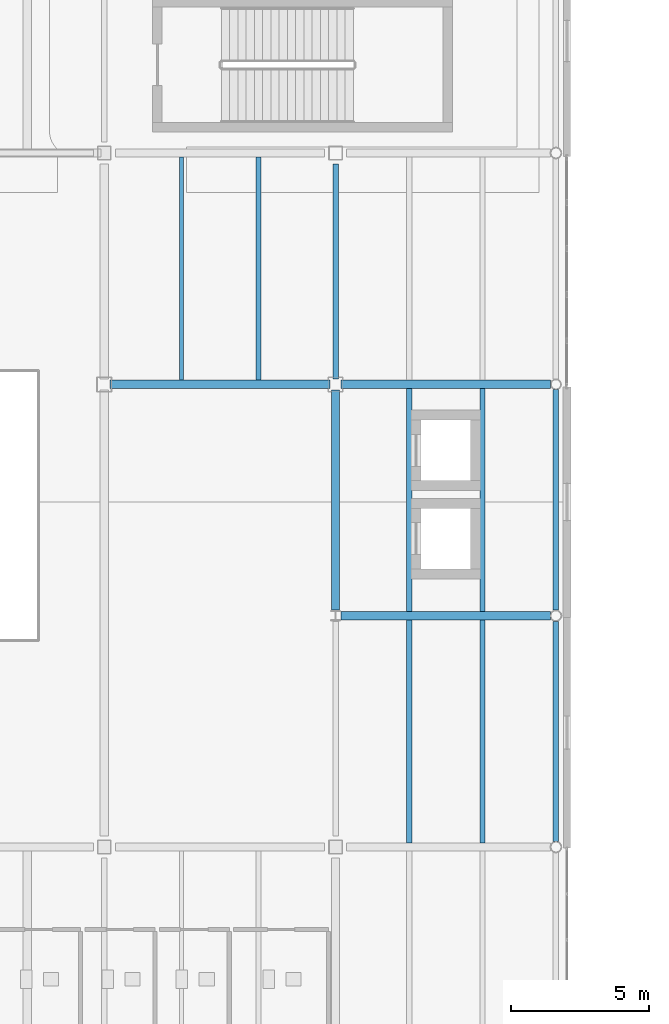
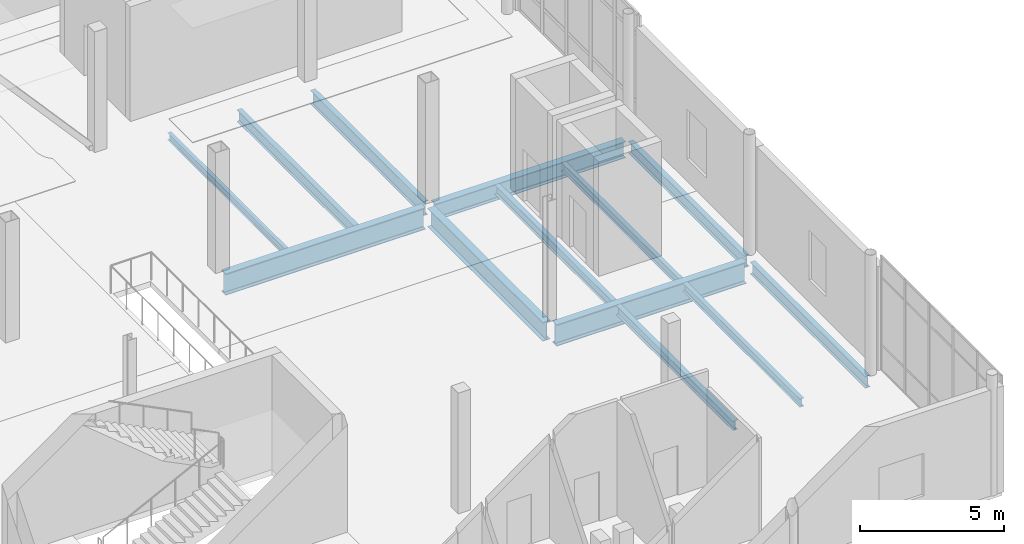
# One storey, part 44 of 104: 13 beams.
"""IFC4 building model written with IfcOpenShell, lengths in metres."""

import ifcopenshell
import ifcopenshell.guid

model = None  # the IFC model being written
_history = None  # IfcOwnerHistory: only IFC2X3 demands one
_inside = {}  # id of a spatial element -> (the spatial element, [elements in it])
_under = {}  # id of a project, library or spatial element -> (it, [spatial elements below it])
_declared = {}  # id of a project -> (the project, [libraries it declares])
_typed = {}  # id of a type object -> (the type object, [elements of that type])
_made_of = {}  # id of a material, layer set ... -> (it, [elements and type objects made of it])


def new_model(schema):
    """Start an empty IFC model of exactly this schema.

    Asked for "IFC4X3", IfcOpenShell would pick the latest addendum, in which some entities
    have other attributes; the version numbers below select the first issue.
    IFC2X3 requires an IfcOwnerHistory on every rooted entity: one is made here for all.
    """
    global model, _history
    if schema == "IFC4X3":
        model = ifcopenshell.file(schema_version=(4, 3, 0, 0))
    else:
        model = ifcopenshell.file(schema=schema)
    _inside.clear()
    _under.clear()
    _declared.clear()
    _typed.clear()
    _made_of.clear()
    _history = None
    if model.schema == "IFC2X3":
        org = make("IfcOrganization", Name="unknown")
        user = make(
            "IfcPersonAndOrganization",
            ThePerson=make("IfcPerson", FamilyName="unknown"),
            TheOrganization=org,
        )
        app = make(
            "IfcApplication",
            ApplicationDeveloper=org,
            Version="unknown",
            ApplicationFullName="unknown",
            ApplicationIdentifier="unknown",
        )
        _history = make(
            "IfcOwnerHistory",
            OwningUser=user,
            OwningApplication=app,
            ChangeAction="ADDED",
            CreationDate=0,
        )
    return model


def make(cls, **values):
    """One entity of the class cls with the attributes given. An attribute that is None is left unset."""
    return model.create_entity(
        cls, **{name: value for name, value in values.items() if value is not None}
    )


def rooted(cls, **values):
    """An entity with a GlobalId (a new one), such as an element, a storey or a relation."""
    return make(cls, GlobalId=ifcopenshell.guid.new(), OwnerHistory=_history, **values)


def si_unit(unit_type, name, prefix=None):
    """IfcSIUnit, for example si_unit("LENGTHUNIT", "METRE", prefix="MILLI")."""
    return make("IfcSIUnit", UnitType=unit_type, Prefix=prefix, Name=name)


def assignment(units):
    """IfcUnitAssignment: the units of a project."""
    return None if units is None else make("IfcUnitAssignment", Units=units)


def point(xyz):
    """IfcCartesianPoint."""
    return None if xyz is None else make("IfcCartesianPoint", Coordinates=xyz)


def direction(xyz):
    """IfcDirection."""
    return None if xyz is None else make("IfcDirection", DirectionRatios=xyz)


def frame(location, z_axis=None, x_axis=None):
    """IfcAxis2Placement3D, a coordinate frame: its origin and axes. An axis left out is left unset."""
    return make(
        "IfcAxis2Placement3D",
        Location=point(location),
        Axis=direction(z_axis),
        RefDirection=direction(x_axis),
    )


def frame_2d(location, x_axis=None):
    """IfcAxis2Placement2D, a coordinate frame in the plane: its origin and x axis."""
    return make(
        "IfcAxis2Placement2D", Location=point(location), RefDirection=direction(x_axis)
    )


def origin():
    """The frame at (0, 0, 0) with its axes left unset."""
    return frame((0.0, 0.0, 0.0))


def origin_2d():
    """The frame at (0, 0) in the plane with its x axis left unset."""
    return frame_2d((0.0, 0.0))


def place(relative_to, where):
    """IfcLocalPlacement: puts the frame where relative to a parent placement (None: the world)."""
    return make(
        "IfcLocalPlacement", PlacementRelTo=relative_to, RelativePlacement=where
    )


def context(
    kind, dimensions, precision=None, world=None, true_north=None, identifier=None
):
    """IfcGeometricRepresentationContext, for example the 3D "Model" context."""
    return make(
        "IfcGeometricRepresentationContext",
        ContextIdentifier=identifier,
        ContextType=kind,
        CoordinateSpaceDimension=dimensions,
        Precision=precision,
        WorldCoordinateSystem=world,
        TrueNorth=true_north,
    )


def subcontext(parent, identifier, kind, view, scale=None):
    """IfcGeometricRepresentationSubContext, for example "Body" below "Model"."""
    return make(
        "IfcGeometricRepresentationSubContext",
        ContextIdentifier=identifier,
        ContextType=kind,
        ParentContext=parent,
        TargetScale=scale,
        TargetView=view,
    )


def project(units=None, contexts=None):
    """IfcProject with its units and contexts."""
    return rooted(
        "IfcProject",
        Name="project",
        RepresentationContexts=contexts,
        UnitsInContext=assignment(units),
    )


def spatial(cls, under=None, at=None, **own):
    """A site, building, storey or space (cls), placed at a placement, below another one or the project."""
    s = rooted(cls, ObjectPlacement=at, **own)
    if under is not None:
        _under.setdefault(under.id(), (under, []))[1].append(s)
    return s


def profile(cls, at=None, kind="AREA", **sizes):
    """A parametric profile (cls). Its sizes go by their IFC names, for example OverallWidth=200.0."""
    return make(cls, ProfileType=kind, Position=at, **sizes)


def i_section(**sizes):
    """IfcIShapeProfileDef."""
    return profile("IfcIShapeProfileDef", **sizes)


def extrude(swept, where, along, depth):
    """IfcExtrudedAreaSolid: the profile swept, set in the frame where, extruded along a direction by depth."""
    return make(
        "IfcExtrudedAreaSolid",
        SweptArea=swept,
        Position=where,
        ExtrudedDirection=direction(along),
        Depth=depth,
    )


def shape(context_of_items, identifier, shape_type, items):
    """IfcShapeRepresentation: the items that make up one representation, for example the "Body"."""
    return make(
        "IfcShapeRepresentation",
        ContextOfItems=context_of_items,
        RepresentationIdentifier=identifier,
        RepresentationType=shape_type,
        Items=items,
    )


def material(Name=None, Category=None):
    """IfcMaterial."""
    return make("IfcMaterial", Name=Name, Category=Category)


def material_profile(
    of_material, cross_section, Name=None, Category=None, Priority=None
):
    """IfcMaterialProfile: a cross section and its material."""
    return make(
        "IfcMaterialProfile",
        Name=Name,
        Material=of_material,
        Profile=cross_section,
        Priority=Priority,
        Category=Category,
    )


def profile_set(profiles, Name=None, composite=None):
    """IfcMaterialProfileSet."""
    return make(
        "IfcMaterialProfileSet",
        Name=Name,
        MaterialProfiles=profiles,
        CompositeProfile=composite,
    )


def made_of(thing, what):
    """Note that an element or type object is made of a material, layer set ...; save() writes the relation."""
    if what is not None:
        _made_of.setdefault(what.id(), (what, []))[1].append(thing)
    return thing


def type_object(cls, material=None, **own):
    """A type object (cls), such as IfcWallType, which elements share."""
    return made_of(rooted(cls, **own), material)


def element(
    cls,
    number,
    at=None,
    inside=None,
    cuts=None,
    type_object=None,
    material=None,
    context=None,
    identifier="Body",
    shape_type=None,
    held_by="IfcProductDefinitionShape",
    body=None,
    shapes=None,
    **own,
):
    """One element of the class cls, such as IfcWall. Its Tag is "e" and its number.

    at: its placement. inside: the storey or other place that contains it. cuts: it is an
    opening in that element (IfcRelVoidsElement). A single representation is given by context,
    identifier, shape_type and body (its items); several are given by shapes. held_by: the class
    of the entity that holds the representations. save() writes the other relations.
    """
    e = rooted(cls, Tag="e%d" % number, ObjectPlacement=at, **own)
    if body is not None:
        shapes = [shape(context, identifier, shape_type, body)]
    if shapes is not None:
        e.Representation = make(held_by, Representations=shapes)
    if inside is not None:
        _inside.setdefault(inside.id(), (inside, []))[1].append(e)
    if cuts is not None:
        rooted(
            "IfcRelVoidsElement", RelatingBuildingElement=cuts, RelatedOpeningElement=e
        )
    if type_object is not None:
        _typed.setdefault(type_object.id(), (type_object, []))[1].append(e)
    return made_of(e, material)


def aggregate(whole, parts):
    """IfcRelAggregates: a whole, such as a stair, and the parts it consists of."""
    return rooted("IfcRelAggregates", RelatingObject=whole, RelatedObjects=parts)


def save(model, path):
    """Write the relations noted so far, then the file.

    IfcRelAggregates (storeys below a building ...), IfcRelContainedInSpatialStructure (elements
    in a storey), IfcRelDefinesByType, IfcRelAssociatesMaterial and IfcRelDeclares: one each for
    every whole, place, type object, material and project.
    """
    for whole, parts in _under.values():
        aggregate(whole, parts)
    for where, things in _inside.values():
        rooted(
            "IfcRelContainedInSpatialStructure",
            RelatedElements=things,
            RelatingStructure=where,
        )
    for kind, things in _typed.values():
        rooted("IfcRelDefinesByType", RelatedObjects=things, RelatingType=kind)
    for what, things in _made_of.values():
        rooted("IfcRelAssociatesMaterial", RelatedObjects=things, RelatingMaterial=what)
    for by, libraries in _declared.values():
        rooted("IfcRelDeclares", RelatingContext=by, RelatedDefinitions=libraries)
    model.write(path)


model = new_model("IFC4")

# Units and contexts
model_context = context("Model", 3, precision=1e-05, world=origin(), true_north=direction((0.0, 1.0)))
body_context = subcontext(model_context, "Body", "Model", "MODEL_VIEW")
ifc_project = project(units=[si_unit("LENGTHUNIT", "METRE"), si_unit("AREAUNIT", "SQUARE_METRE"), si_unit("VOLUMEUNIT", "CUBIC_METRE"), si_unit("PLANEANGLEUNIT", "RADIAN"), si_unit("MASSUNIT", "GRAM", prefix="KILO"), si_unit("THERMODYNAMICTEMPERATUREUNIT", "KELVIN")], contexts=[model_context])

# Site, building, storey
site_placement = place(None, origin())
site = spatial("IfcSite", under=ifc_project, at=site_placement, CompositionType="ELEMENT")
building_placement = place(site_placement, origin())
building = spatial("IfcBuilding", under=site, at=building_placement, Name="Lustrewick Department Store", CompositionType="ELEMENT")
storey_placement = place(building_placement, frame((0.0, 0.0, 11.39990234375)))
storey = spatial("IfcBuildingStorey", under=building, at=storey_placement, Name="L03", CompositionType="ELEMENT", Elevation=11.39990234375)

# Beams
ifc_material_1 = material(Name="Structural steel Q355B", Category="steel")
ifc_material_profile_1 = material_profile(ifc_material_1, i_section(OverallWidth=0.198974609375, OverallDepth=0.49609375, WebThickness=0.009033203125, FlangeThickness=0.013916015625, FilletRadius=0.01611328125, at=origin_2d()), Name="HN 496x199x9x14")
ifc_profile_set_1 = profile_set([ifc_material_profile_1], Name="Structural steel Q355B")
beam_type_1 = type_object("IfcBeamType", Name="B02", PredefinedType="JOIST", material=ifc_profile_set_1)
beam_1_placement = place(storey_placement, frame((140.0, 33.7509765625, -0.5029296875), z_axis=(0.0, 1.0, 0.0), x_axis=(-1.0, 0.0, 0.0)))
element("IfcBeam", 1, at=beam_1_placement, inside=storey, type_object=beam_type_1, Name="L03 V3 Secondary Joist B02", PredefinedType="JOIST", context=body_context, shape_type="SweptSolid", body=[
    extrude(i_section(OverallWidth=0.198974609375, OverallDepth=0.49609375, WebThickness=0.009033203125, FlangeThickness=0.013916015625, FilletRadius=0.01611328125, at=origin_2d()), origin(), (0.0, 0.0, 1.0), 8.09912109375),
])
ifc_material_profile_2 = material_profile(ifc_material_1, i_section(OverallWidth=0.198974609375, OverallDepth=0.39599609375, WebThickness=0.007080078125, FlangeThickness=0.010986328125, FilletRadius=0.013916015625, at=origin_2d()), Name="HN 396x199x7x11")
ifc_profile_set_2 = profile_set([ifc_material_profile_2], Name="Structural steel Q355B")
beam_type_2 = type_object("IfcBeamType", Name="B06", PredefinedType="JOIST", material=ifc_profile_set_2)
beam_2_placement = place(storey_placement, frame((145.466796875, 16.950927734375, -0.452880859375), z_axis=(0.0, 1.0, 0.0), x_axis=(-1.0, 0.0, 0.0)))
element("IfcBeam", 2, at=beam_2_placement, inside=storey, type_object=beam_type_2, Name="L03 V3 Secondary Joist B06", PredefinedType="JOIST", context=body_context, shape_type="SweptSolid", body=[
    extrude(i_section(OverallWidth=0.198974609375, OverallDepth=0.39599609375, WebThickness=0.007080078125, FlangeThickness=0.010986328125, FilletRadius=0.013916015625, at=origin_2d()), origin(), (0.0, 0.0, 1.0), 8.09814453125),
])
beam_3_placement = place(storey_placement, frame((145.466796875, 25.35107421875, -0.452880859375), z_axis=(0.0, 1.0, 0.0), x_axis=(-1.0, 0.0, 0.0)))
element("IfcBeam", 3, at=beam_3_placement, inside=storey, type_object=beam_type_2, Name="L03 V3 Secondary Joist B06", PredefinedType="JOIST", context=body_context, shape_type="SweptSolid", body=[
    extrude(i_section(OverallWidth=0.198974609375, OverallDepth=0.39599609375, WebThickness=0.007080078125, FlangeThickness=0.010986328125, FilletRadius=0.013916015625, at=origin_2d()), origin(), (0.0, 0.0, 1.0), 8.098876953125),
])
ifc_material_profile_3 = material_profile(ifc_material_1, i_section(OverallWidth=0.174072265625, OverallDepth=0.345947265625, WebThickness=0.006103515625, FlangeThickness=0.009033203125, FilletRadius=0.012939453125, at=origin_2d()), Name="HN 346x174x6x9")
ifc_profile_set_3 = profile_set([ifc_material_profile_3], Name="Structural steel Q355B")
beam_type_3 = type_object("IfcBeamType", Name="B10", PredefinedType="JOIST", material=ifc_profile_set_3)
beam_4_placement = place(storey_placement, frame((148.13330078125, 16.950927734375, -0.427978515625), z_axis=(0.0, 1.0, 0.0), x_axis=(-1.0, 0.0, 0.0)))
element("IfcBeam", 4, at=beam_4_placement, inside=storey, type_object=beam_type_3, Name="L03 V3 Secondary Joist B10", PredefinedType="JOIST", context=body_context, shape_type="SweptSolid", body=[
    extrude(i_section(OverallWidth=0.174072265625, OverallDepth=0.345947265625, WebThickness=0.006103515625, FlangeThickness=0.009033203125, FilletRadius=0.012939453125, at=origin_2d()), origin(), (0.0, 0.0, 1.0), 8.09814453125),
])
beam_5_placement = place(storey_placement, frame((148.13330078125, 25.35107421875, -0.427978515625), z_axis=(0.0, 1.0, 0.0), x_axis=(-1.0, 0.0, 0.0)))
element("IfcBeam", 5, at=beam_5_placement, inside=storey, type_object=beam_type_3, Name="L03 V3 Secondary Joist B10", PredefinedType="JOIST", context=body_context, shape_type="SweptSolid", body=[
    extrude(i_section(OverallWidth=0.174072265625, OverallDepth=0.345947265625, WebThickness=0.006103515625, FlangeThickness=0.009033203125, FilletRadius=0.012939453125, at=origin_2d()), origin(), (0.0, 0.0, 1.0), 8.098876953125),
])
ifc_material_profile_4 = material_profile(ifc_material_1, i_section(OverallWidth=0.14990234375, OverallDepth=0.300048828125, WebThickness=0.006591796875, FlangeThickness=0.009033203125, FilletRadius=0.011962890625, at=origin_2d()), Name="HN 300x150x6.5x9")
ifc_profile_set_4 = profile_set([ifc_material_profile_4], Name="Structural steel Q355B")
beam_type_4 = type_object("IfcBeamType", Name="B11", PredefinedType="JOIST", material=ifc_profile_set_4)
beam_6_placement = place(storey_placement, frame((137.199951171875, 33.7509765625, -0.40478515625), z_axis=(0.0, 1.0, 0.0), x_axis=(-1.0, 0.0, 0.0)))
element("IfcBeam", 6, at=beam_6_placement, inside=storey, type_object=beam_type_4, Name="L03 V3 Secondary Joist B11", PredefinedType="JOIST", context=body_context, shape_type="SweptSolid", body=[
    extrude(i_section(OverallWidth=0.14990234375, OverallDepth=0.300048828125, WebThickness=0.006591796875, FlangeThickness=0.009033203125, FilletRadius=0.011962890625, at=origin_2d()), origin(), (0.0, 0.0, 1.0), 8.09912109375),
])
ifc_material_2 = material(Name="Structural steel Q355C", Category="steel")
ifc_material_profile_5 = material_profile(ifc_material_2, i_section(OverallWidth=0.302001953125, OverallDepth=0.912109375, WebThickness=0.01806640625, FlangeThickness=0.033935546875, FilletRadius=0.02392578125, at=origin_2d()), Name="HN 912x302x18x34")
ifc_profile_set_5 = profile_set([ifc_material_profile_5], Name="Structural steel Q355C")
beam_type_5 = type_object("IfcBeamType", Name="G01", PredefinedType="BEAM", material=ifc_profile_set_5)
beam_7_placement = place(storey_placement, frame((143.00244140625, 25.199951171875, -0.7109375), z_axis=(1.0, 0.0, 0.0), x_axis=(0.0, 1.0, 0.0)))
element("IfcBeam", 7, at=beam_7_placement, inside=storey, type_object=beam_type_5, Name="L03 V3 Girder G01", PredefinedType="BEAM", context=body_context, shape_type="SweptSolid", body=[
    extrude(i_section(OverallWidth=0.302001953125, OverallDepth=0.912109375, WebThickness=0.01806640625, FlangeThickness=0.033935546875, FilletRadius=0.02392578125, at=origin_2d()), origin(), (0.0, 0.0, 1.0), 7.594482421875),
])
beam_8_placement = place(storey_placement, frame((134.60009765625, 33.60009765625, -0.7109375), z_axis=(1.0, 0.0, 0.0), x_axis=(0.0, 1.0, 0.0)))
element("IfcBeam", 8, at=beam_8_placement, inside=storey, type_object=beam_type_5, Name="L03 V3 Girder G01", PredefinedType="BEAM", context=body_context, shape_type="SweptSolid", body=[
    extrude(i_section(OverallWidth=0.302001953125, OverallDepth=0.912109375, WebThickness=0.01806640625, FlangeThickness=0.033935546875, FilletRadius=0.02392578125, at=origin_2d()), origin(), (0.0, 0.0, 1.0), 8.0),
])
ifc_material_profile_6 = material_profile(ifc_material_1, i_section(OverallWidth=0.300048828125, OverallDepth=0.7919921875, WebThickness=0.013916015625, FlangeThickness=0.02197265625, FilletRadius=0.02197265625, at=origin_2d()), Name="HN 792x300x14x22")
ifc_profile_set_6 = profile_set([ifc_material_profile_6], Name="Structural steel Q355B")
beam_type_6 = type_object("IfcBeamType", Name="G06", PredefinedType="BEAM", material=ifc_profile_set_6)
beam_9_placement = place(storey_placement, frame((142.800048828125, 25.406982421875, -0.65087890625), z_axis=(0.0, 1.0, 0.0), x_axis=(-1.0, 0.0, 0.0)))
element("IfcBeam", 9, at=beam_9_placement, inside=storey, type_object=beam_type_6, Name="L03 V3 Girder G06", PredefinedType="BEAM", context=body_context, shape_type="SweptSolid", body=[
    extrude(i_section(OverallWidth=0.300048828125, OverallDepth=0.7919921875, WebThickness=0.013916015625, FlangeThickness=0.02197265625, FilletRadius=0.02197265625, at=origin_2d()), origin(), (0.0, 0.0, 1.0), 7.992919921875),
])
ifc_material_profile_7 = material_profile(ifc_material_1, i_section(OverallWidth=0.300048828125, OverallDepth=0.69189453125, WebThickness=0.012939453125, FlangeThickness=0.02001953125, FilletRadius=0.02001953125, at=origin_2d()), Name="HN 692x300x13x20")
ifc_profile_set_7 = profile_set([ifc_material_profile_7], Name="Structural steel Q355B")
beam_type_7 = type_object("IfcBeamType", Name="G09", PredefinedType="BEAM", material=ifc_profile_set_7)
beam_10_placement = place(storey_placement, frame((143.0, 33.60009765625, -0.600830078125), z_axis=(1.0, 0.0, 0.0), x_axis=(0.0, 1.0, 0.0)))
element("IfcBeam", 10, at=beam_10_placement, inside=storey, type_object=beam_type_7, Name="L03 V3 Girder G09", PredefinedType="BEAM", context=body_context, shape_type="SweptSolid", body=[
    extrude(i_section(OverallWidth=0.300048828125, OverallDepth=0.69189453125, WebThickness=0.012939453125, FlangeThickness=0.02001953125, FilletRadius=0.02001953125, at=origin_2d()), origin(), (0.0, 0.0, 1.0), 7.611572265625),
])
ifc_material_profile_8 = material_profile(ifc_material_1, i_section(OverallWidth=0.199951171875, OverallDepth=0.60009765625, WebThickness=0.010986328125, FlangeThickness=0.01708984375, FilletRadius=0.01806640625, at=origin_2d()), Name="HN 600x200x11x17")
ifc_profile_set_8 = profile_set([ifc_material_profile_8], Name="Structural steel Q355B")
beam_type_8 = type_object("IfcBeamType", Name="G14", PredefinedType="BEAM", material=ifc_profile_set_8)
beam_11_placement = place(storey_placement, frame((142.800048828125, 33.800048828125, -0.554931640625), z_axis=(0.0, 1.0, 0.0), x_axis=(-1.0, 0.0, 0.0)))
element("IfcBeam", 11, at=beam_11_placement, inside=storey, type_object=beam_type_8, Name="L03 V3 Girder G14", PredefinedType="BEAM", context=body_context, shape_type="SweptSolid", body=[
    extrude(i_section(OverallWidth=0.199951171875, OverallDepth=0.60009765625, WebThickness=0.010986328125, FlangeThickness=0.01708984375, FilletRadius=0.01806640625, at=origin_2d()), origin(), (0.0, 0.0, 1.0), 7.800048828125),
])
ifc_material_profile_9 = material_profile(ifc_material_1, i_section(OverallWidth=0.200927734375, OverallDepth=0.506103515625, WebThickness=0.010986328125, FlangeThickness=0.01904296875, FilletRadius=0.01611328125, at=origin_2d()), Name="HN 506x201x11x19")
ifc_profile_set_9 = profile_set([ifc_material_profile_9], Name="Structural steel Q355B")
beam_type_9 = type_object("IfcBeamType", Name="SP01", PredefinedType="SPANDREL", material=ifc_profile_set_9)
beam_12_placement = place(storey_placement, frame((150.800048828125, 17.0029296875, -0.5078125), z_axis=(0.0, 1.0, 0.0), x_axis=(-1.0, 0.0, 0.0)))
element("IfcBeam", 12, at=beam_12_placement, inside=storey, type_object=beam_type_9, Name="L03 V3 Girder SP01", PredefinedType="SPANDREL", context=body_context, shape_type="SweptSolid", body=[
    extrude(i_section(OverallWidth=0.200927734375, OverallDepth=0.506103515625, WebThickness=0.010986328125, FlangeThickness=0.01904296875, FilletRadius=0.01611328125, at=origin_2d()), origin(), (0.0, 0.0, 1.0), 7.994140625),
])
beam_13_placement = place(storey_placement, frame((150.800048828125, 25.403076171875, -0.5078125), z_axis=(0.0, 1.0, 0.0), x_axis=(-1.0, 0.0, 0.0)))
element("IfcBeam", 13, at=beam_13_placement, inside=storey, type_object=beam_type_9, Name="L03 V3 Girder SP01", PredefinedType="SPANDREL", context=body_context, shape_type="SweptSolid", body=[
    extrude(i_section(OverallWidth=0.200927734375, OverallDepth=0.506103515625, WebThickness=0.010986328125, FlangeThickness=0.01904296875, FilletRadius=0.01611328125, at=origin_2d()), origin(), (0.0, 0.0, 1.0), 8.008544921875),
])

save(model, "model.ifc")
